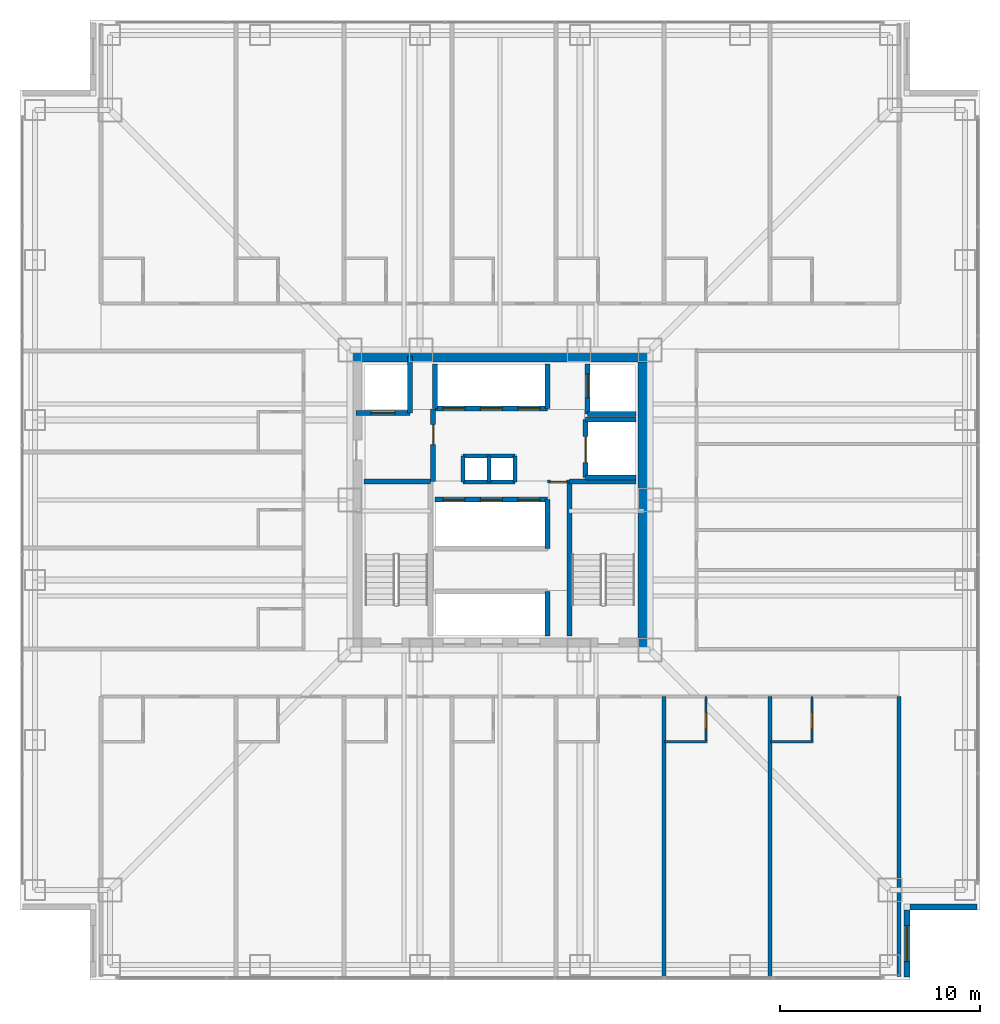
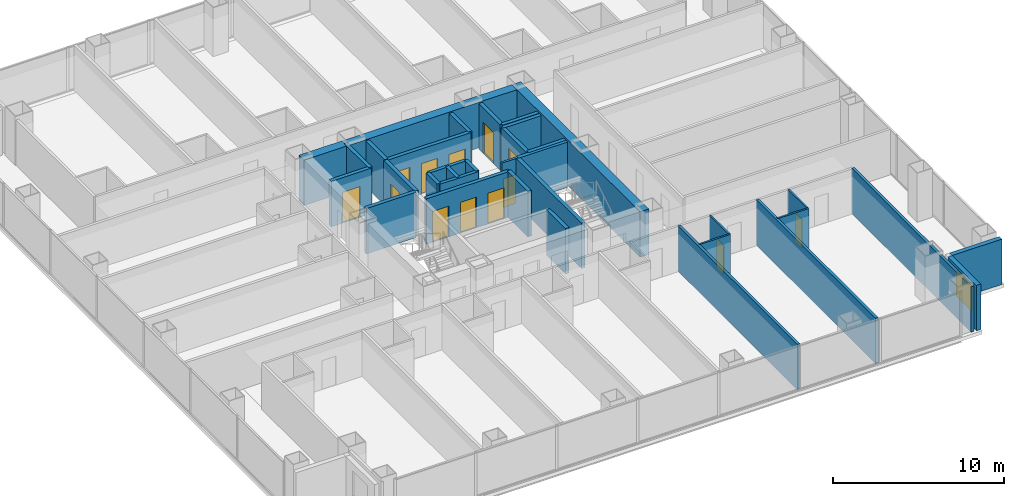
# One storey, part 12 of 17: 34 walls, 13 doors, 1 window, 14 openings.
"""IFC4 building model written with IfcOpenShell, lengths in metres."""

from ifc_helpers import new_model, si_unit, direction, frame, frame_2d, origin, place, context, subcontext, project, spatial, rectangle, extrude, material, layer, layer_set, type_object, element, fill, save


model = new_model("IFC4")

# Units and contexts
model_context = context("Model", 3, precision=1e-05, world=origin(), true_north=direction((0.0, 1.0)))
body_context = subcontext(model_context, "Body", "Model", "MODEL_VIEW")
ifc_project = project(units=[si_unit("LENGTHUNIT", "METRE"), si_unit("AREAUNIT", "SQUARE_METRE"), si_unit("VOLUMEUNIT", "CUBIC_METRE"), si_unit("PLANEANGLEUNIT", "RADIAN"), si_unit("MASSUNIT", "GRAM", prefix="KILO")], contexts=[model_context])

# Site, building, storey
site_placement = place(None, origin())
site = spatial("IfcSite", under=ifc_project, at=site_placement, CompositionType="ELEMENT")
building_placement = place(site_placement, origin())
building = spatial("IfcBuilding", under=site, at=building_placement, Name="Trevonay Congress Spire", CompositionType="ELEMENT")
storey_placement = place(building_placement, frame((0.0, 0.0, 30.5)))
storey = spatial("IfcBuildingStorey", under=building, at=storey_placement, Name="L06", CompositionType="ELEMENT", Elevation=30.5)

# Wall, opening, door
ifc_material_1 = material(Name="Concrete C40/50", Category="concrete")
ifc_layer_1 = layer(ifc_material_1, 0.1201171875, Name="Concrete C40/50")
ifc_layer_set_1 = layer_set([ifc_layer_1], Name="Concrete C40/50")
wall_type_1 = type_object("IfcWallType", Name="WAL-BATH-120", PredefinedType="PLUMBINGWALL", material=ifc_layer_set_1)
wall_1_placement = place(storey_placement, frame((10.300048828125, -12.080078125, 0.0), z_axis=(0.0, 0.0, 1.0), x_axis=(0.0, 1.0, 0.0)))
wall_1 = element("IfcWall", 1, at=wall_1_placement, inside=storey, type_object=wall_type_1, Name="L06 interior wall WH-L06S-BS6", PredefinedType="PLUMBINGWALL", context=body_context, shape_type="SweptSolid", body=[
    extrude(rectangle(XDim=2.25, YDim=0.1201171875, at=frame_2d((1.125, 0.0))), origin(), (0.0, 0.0, 1.0), 3.25),
])
opening_1_placement = place(wall_1_placement, frame((0.64990234375, 0.0, 0.0)))
opening_1 = element("IfcOpeningElement", 2, at=opening_1_placement, cuts=wall_1, Name="Opening D11", PredefinedType="OPENING", context=body_context, shape_type="SweptSolid", body=[
    extrude(rectangle(XDim=0.800048828125, YDim=2.050048828125, at=frame_2d((0.39990234375, 1.02490234375))), frame((0.0, 0.070068359375, 0.0), z_axis=(0.0, -1.0, 0.0), x_axis=(1.0, 0.0, 0.0)), (0.0, 0.0, 1.0), 0.14013671875),
])
ifc_material_2 = material(Name="Pale Anodised Aluminium EN AW-6063-T6", Category="aluminium")
door_type_1 = type_object("IfcDoorType", Name="DOR-BATH-80", OperationType="NOTDEFINED", PredefinedType="DOOR", material=ifc_material_2)
door_1_placement = place(opening_1_placement, origin())
door_1 = element("IfcDoor", 3, at=door_1_placement, inside=storey, type_object=door_type_1, Name="L06 En-suite Bathroom Door", OperationType="SINGLE_SWING_RIGHT", OverallHeight=2.050048828125, OverallWidth=0.800048828125, PredefinedType="DOOR", context=body_context, shape_type="SweptSolid", body=[
    extrude(rectangle(XDim=0.800048828125, YDim=2.050048828125, at=frame_2d((0.39990234375, 1.02490234375))), frame((0.0, 0.02490234375, 0.0), z_axis=(0.0, -1.0, 0.0), x_axis=(1.0, 0.0, 0.0)), (0.0, 0.0, 1.0), 0.050048828125),
])
fill(opening_1, door_1)

# Wall
wall_2_placement = place(storey_placement, frame((8.22998046875, -12.080078125, 0.0), z_axis=(0.0, 0.0, 1.0), x_axis=(1.0, 0.0, 0.0)))
element("IfcWall", 4, at=wall_2_placement, inside=storey, type_object=wall_type_1, Name="L06 interior wall WH-L06S-BF6", PredefinedType="PLUMBINGWALL", context=body_context, shape_type="SweptSolid", body=[
    extrude(rectangle(XDim=2.10009765625, YDim=0.1201171875, at=frame_2d((1.050048828125, 0.0))), origin(), (0.0, 0.0, 1.0), 3.25),
])

# Wall, opening, door
wall_3_placement = place(storey_placement, frame((15.60009765625, -12.080078125, 0.0), z_axis=(0.0, 0.0, 1.0), x_axis=(0.0, 1.0, 0.0)))
wall_3 = element("IfcWall", 5, at=wall_3_placement, inside=storey, type_object=wall_type_1, Name="L06 interior wall WH-L06S-BS7", PredefinedType="PLUMBINGWALL", context=body_context, shape_type="SweptSolid", body=[
    extrude(rectangle(XDim=2.25, YDim=0.1201171875, at=frame_2d((1.125, 0.0))), origin(), (0.0, 0.0, 1.0), 3.25),
])
opening_2_placement = place(wall_3_placement, frame((0.64990234375, 0.0, 0.0)))
opening_2 = element("IfcOpeningElement", 6, at=opening_2_placement, cuts=wall_3, Name="Opening D11", PredefinedType="OPENING", context=body_context, shape_type="SweptSolid", body=[
    extrude(rectangle(XDim=0.800048828125, YDim=2.050048828125, at=frame_2d((0.39990234375, 1.02490234375))), frame((0.0, 0.070068359375, 0.0), z_axis=(0.0, -1.0, 0.0), x_axis=(1.0, 0.0, 0.0)), (0.0, 0.0, 1.0), 0.14013671875),
])
door_2_placement = place(opening_2_placement, origin())
door_2 = element("IfcDoor", 7, at=door_2_placement, inside=storey, type_object=door_type_1, Name="L06 En-suite Bathroom Door", OperationType="SINGLE_SWING_LEFT", OverallHeight=2.050048828125, OverallWidth=0.800048828125, PredefinedType="DOOR", context=body_context, shape_type="SweptSolid", body=[
    extrude(rectangle(XDim=0.800048828125, YDim=2.050048828125, at=frame_2d((0.39990234375, 1.02490234375))), frame((0.0, 0.02490234375, 0.0), z_axis=(0.0, -1.0, 0.0), x_axis=(1.0, 0.0, 0.0)), (0.0, 0.0, 1.0), 0.050048828125),
])
fill(opening_2, door_2)

# Walls
wall_4_placement = place(storey_placement, frame((13.530029296875, -12.080078125, 0.0), z_axis=(0.0, 0.0, 1.0), x_axis=(1.0, 0.0, 0.0)))
element("IfcWall", 8, at=wall_4_placement, inside=storey, type_object=wall_type_1, Name="L06 interior wall WH-L06S-BF7", PredefinedType="PLUMBINGWALL", context=body_context, shape_type="SweptSolid", body=[
    extrude(rectangle(XDim=2.099853515625, YDim=0.1201171875, at=frame_2d((1.0498046875, 0.0))), origin(), (0.0, 0.0, 1.0), 3.25),
])
ifc_material_3 = material(Name="Concrete C60/75", Category="concrete")
ifc_layer_2 = layer(ifc_material_3, 0.60009765625, Name="Concrete C60/75")
ifc_layer_set_2 = layer_set([ifc_layer_2], Name="Concrete C60/75")
wall_type_2 = type_object("IfcWallType", Name="WAL-CORE-600", PredefinedType="SHEAR", material=ifc_layer_set_2)
for number, where, z_axis, x_axis, name in (
    (9, (-7.5, 7.199951171875, 0.0), (0.0, 0.0, 1.0), (1.0, 0.0, 0.0), "L06 North structural core shear wall"),
    (10, (7.199951171875, -7.5, 0.0), (0.0, 0.0, 1.0), (0.0, 1.0, 0.0), "L06 East structural core shear wall"),
):
    element("IfcWall", number, at=place(storey_placement, frame(where, z_axis=z_axis, x_axis=x_axis)), inside=storey, type_object=wall_type_2, Name=name, PredefinedType="SHEAR", context=body_context, shape_type="SweptSolid", body=[
        extrude(rectangle(XDim=15.0, YDim=0.60009765625, at=frame_2d((7.5, 0.0))), origin(), (0.0, 0.0, 1.0), 3.25),
    ])

# Wall, opening, window
ifc_material_4 = material(Name="Precast concrete C40/50", Category="concrete")
ifc_layer_3 = layer(ifc_material_4, 0.300048828125, Name="Precast concrete C40/50")
ifc_layer_set_3 = layer_set([ifc_layer_3], Name="Precast concrete C40/50")
wall_type_3 = type_object("IfcWallType", Name="WAL-EXT-PRECAST-300", PredefinedType="SOLIDWALL", material=ifc_layer_set_3)
wall_5_placement = place(storey_placement, frame((20.35009765625, -23.85009765625, 0.0), z_axis=(0.0, 0.0, 1.0), x_axis=(0.0, 1.0, 0.0)))
wall_5 = element("IfcWall", 11, at=wall_5_placement, inside=storey, type_object=wall_type_3, Name="L06 SE re-entrant notch exterior wall 1", PredefinedType="SOLIDWALL", context=body_context, shape_type="SweptSolid", body=[
    extrude(rectangle(XDim=3.35009765625, YDim=0.300048828125, at=frame_2d((1.675048828125, 0.0))), origin(), (0.0, 0.0, 1.0), 3.25),
])
opening_3_placement = place(wall_5_placement, frame((0.77490234375, 0.0, 0.89990234375)))
opening_3 = element("IfcOpeningElement", 12, at=opening_3_placement, cuts=wall_5, Name="Opening WN01", PredefinedType="OPENING", context=body_context, shape_type="SweptSolid", body=[
    extrude(rectangle(XDim=1.800048828125, YDim=1.800048828125, at=frame_2d((0.89990234375, 0.89990234375))), frame((0.0, 0.16015625, 0.0), z_axis=(0.0, -1.0, 0.0), x_axis=(1.0, 0.0, 0.0)), (0.0, 0.0, 1.0), 0.320068359375),
])
ifc_material_5 = material(Name="Insulated Low-E Vision Glass IGU", Category="glass")
window_type = type_object("IfcWindowType", Name="WIN-HOTEL-180X180", PartitioningType="SINGLE_PANEL", PredefinedType="WINDOW", material=ifc_material_5)
window_placement = place(opening_3_placement, origin())
window = element("IfcWindow", 13, at=window_placement, inside=storey, type_object=window_type, Name="L06 SE corner notch window", OverallHeight=1.800048828125, OverallWidth=1.800048828125, PartitioningType="SINGLE_PANEL", PredefinedType="WINDOW", context=body_context, shape_type="SweptSolid", body=[
    extrude(rectangle(XDim=1.800048828125, YDim=1.800048828125, at=frame_2d((0.89990234375, 0.89990234375))), frame((0.0, 0.030029296875, 0.0), z_axis=(0.0, -1.0, 0.0), x_axis=(1.0, 0.0, 0.0)), (0.0, 0.0, 1.0), 0.06005859375),
])
fill(opening_3, window)

# Walls
wall_6_placement = place(storey_placement, frame((23.85009765625, -20.35009765625, 0.0), z_axis=(0.0, 0.0, 1.0), x_axis=(-1.0, 0.0, 0.0)))
element("IfcWall", 14, at=wall_6_placement, inside=storey, type_object=wall_type_3, Name="L06 SE re-entrant notch exterior wall 2", PredefinedType="SOLIDWALL", context=body_context, shape_type="SweptSolid", body=[
    extrude(rectangle(XDim=3.35009765625, YDim=0.300048828125, at=frame_2d((1.675048828125, 0.0))), origin(), (0.0, 0.0, 1.0), 3.25),
])
ifc_layer_4 = layer(ifc_material_1, 0.179931640625, Name="Concrete C40/50")
ifc_layer_set_4 = layer_set([ifc_layer_4], Name="Concrete C40/50")
wall_type_4 = type_object("IfcWallType", Name="WAL-HOTEL-180", PredefinedType="PARTITIONING", material=ifc_layer_set_4)
for number, where, z_axis, x_axis, name in (
    (15, (8.199951171875, -23.820068359375, 0.0), (0.0, 0.0, 1.0), (0.0, 1.0, 0.0), "L06 interior wall WH-L06S-DIV6"),
    (16, (13.5, -23.820068359375, 0.0), (0.0, 0.0, 1.0), (0.0, 1.0, 0.0), "L06 interior wall WH-L06S-DIV7"),
    (17, (19.949951171875, -23.820068359375, 0.0), (0.0, 0.0, 1.0), (0.0, 1.0, 0.0), "L06 interior wall WH-L06S-DIV8"),
):
    element("IfcWall", number, at=place(storey_placement, frame(where, z_axis=z_axis, x_axis=x_axis)), inside=storey, type_object=wall_type_4, Name=name, PredefinedType="PARTITIONING", context=body_context, shape_type="SweptSolid", body=[
        extrude(rectangle(XDim=13.989990234375, YDim=0.179931640625, at=frame_2d((6.9951171875, 0.0))), origin(), (0.0, 0.0, 1.0), 3.25),
    ])

# Wall, opening, door
ifc_layer_5 = layer(ifc_material_1, 0.14990234375, Name="Concrete C40/50")
ifc_layer_set_5 = layer_set([ifc_layer_5], Name="Concrete C40/50")
wall_type_5 = type_object("IfcWallType", Name="WAL-PART-150", PredefinedType="PARTITIONING", material=ifc_layer_set_5)
wall_7_placement = place(storey_placement, frame((2.3798828125, 0.919921875, 0.0), z_axis=(0.0, 0.0, 1.0), x_axis=(1.0, 0.0, 0.0)))
wall_7 = element("IfcWall", 18, at=wall_7_placement, inside=storey, type_object=wall_type_5, Name="L06 interior wall CW-CSRV-N-L06", PredefinedType="PARTITIONING", context=body_context, shape_type="SweptSolid", body=[
    extrude(rectangle(XDim=1.090087890625, YDim=0.14990234375, at=frame_2d((0.544921875, 0.0))), origin(), (0.0, 0.0, 1.0), 3.25),
])
opening_4_placement = place(wall_7_placement, frame((0.135009765625, 0.0, 0.0)))
opening_4 = element("IfcOpeningElement", 19, at=opening_4_placement, cuts=wall_7, Name="Opening D13", PredefinedType="OPENING", context=body_context, shape_type="SweptSolid", body=[
    extrude(rectangle(XDim=0.820068359375, YDim=2.050048828125, at=frame_2d((0.41015625, 1.02490234375))), frame((0.0, 0.0849609375, 0.0), z_axis=(0.0, -1.0, 0.0), x_axis=(1.0, 0.0, 0.0)), (0.0, 0.0, 1.0), 0.169921875),
])
ifc_material_6 = material(Name="Steel ASTM A572 Grade 50", Category="steel")
door_type_2 = type_object("IfcDoorType", Name="DOR-UTIL-80", OperationType="NOTDEFINED", PredefinedType="DOOR", material=ifc_material_6)
door_3_placement = place(opening_4_placement, origin())
door_3 = element("IfcDoor", 20, at=door_3_placement, inside=storey, type_object=door_type_2, Name="L06 Core Service Pocket Door", OperationType="SINGLE_SWING_RIGHT", OverallHeight=2.050048828125, OverallWidth=0.820068359375, PredefinedType="DOOR", context=body_context, shape_type="SweptSolid", body=[
    extrude(rectangle(XDim=0.820068359375, YDim=2.050048828125, at=frame_2d((0.41015625, 1.02490234375))), frame((0.0, 0.02490234375, 0.0), z_axis=(0.0, -1.0, 0.0), x_axis=(1.0, 0.0, 0.0)), (0.0, 0.0, 1.0), 0.050048828125),
])
fill(opening_4, door_3)

# Walls
ifc_layer_6 = layer(ifc_material_1, 0.219970703125, Name="Concrete C40/50")
ifc_layer_set_6 = layer_set([ifc_layer_6], Name="Concrete C40/50")
wall_type_6 = type_object("IfcWallType", Name="WAL-SHAFT-220", PredefinedType="PARTITIONING", material=ifc_layer_set_6)
for number, where, z_axis, x_axis, name in (
    (21, (-1.85009765625, 2.199951171875, 0.0), (0.0, 0.0, 1.0), (1.0, 0.0, 0.0), "L06 interior shaft wall WSH-L06-RSR-N"),
    (22, (-1.85009765625, 0.89990234375, 0.0), (0.0, 0.0, 1.0), (1.0, 0.0, 0.0), "L06 interior shaft wall WSH-L06-RSR-S"),
):
    element("IfcWall", number, at=place(storey_placement, frame(where, z_axis=z_axis, x_axis=x_axis)), inside=storey, type_object=wall_type_6, Name=name, PredefinedType="PARTITIONING", context=body_context, shape_type="SweptSolid", body=[
        extrude(rectangle(XDim=2.60009765625, YDim=0.219970703125, at=frame_2d((1.300048828125, 0.0))), origin(), (0.0, 0.0, 1.0), 3.25),
    ])
for number, where, z_axis, x_axis, name in (
    (23, (-0.550048828125, 0.89990234375, 0.0), (0.0, 0.0, 1.0), (0.0, 1.0, 0.0), "L06 interior shaft wall WSH-L06-RSR-M"),
    (24, (0.75, 0.89990234375, 0.0), (0.0, 0.0, 1.0), (0.0, 1.0, 0.0), "L06 interior shaft wall WSH-L06-RSR-E"),
    (25, (-1.85009765625, 0.89990234375, 0.0), (0.0, 0.0, 1.0), (0.0, 1.0, 0.0), "L06 interior shaft wall WSH-L06-RSR-W"),
):
    element("IfcWall", number, at=place(storey_placement, frame(where, z_axis=z_axis, x_axis=x_axis)), inside=storey, type_object=wall_type_6, Name=name, PredefinedType="PARTITIONING", context=body_context, shape_type="SweptSolid", body=[
        extrude(rectangle(XDim=1.300048828125, YDim=0.219970703125, at=frame_2d((0.64990234375, 0.0))), origin(), (0.0, 0.0, 1.0), 3.25),
    ])
ifc_layer_7 = layer(ifc_material_1, 0.25, Name="Concrete C40/50")
ifc_layer_set_7 = layer_set([ifc_layer_7], Name="Concrete C40/50")
wall_type_7 = type_object("IfcWallType", Name="WAL-SHAFT-250", PredefinedType="SHEAR", material=ifc_layer_set_7)
wall_8_placement = place(storey_placement, frame((2.3798828125, -6.800048828125, 0.0), z_axis=(0.0, 0.0, 1.0), x_axis=(0.0, 1.0, 0.0)))
element("IfcWall", 26, at=wall_8_placement, inside=storey, type_object=wall_type_7, Name="L06 interior shaft wall WSH-L06-B1-E", PredefinedType="SHEAR", context=body_context, shape_type="SweptSolid", body=[
    extrude(rectangle(XDim=2.219970703125, YDim=0.25, at=frame_2d((1.10986328125, 0.0))), origin(), (0.0, 0.0, 1.0), 3.25),
])

# Wall, openings, doors
wall_9_placement = place(storey_placement, frame((-3.260009765625, 0.02001953125, 0.0), z_axis=(0.0, 0.0, 1.0), x_axis=(1.0, 0.0, 0.0)))
wall_9 = element("IfcWall", 27, at=wall_9_placement, inside=storey, type_object=wall_type_7, Name="L06 interior shaft wall WSH-L06-B2-N", PredefinedType="SHEAR", context=body_context, shape_type="SweptSolid", body=[
    extrude(rectangle(XDim=5.639892578125, YDim=0.25, at=frame_2d((2.81982421875, 0.0))), origin(), (0.0, 0.0, 1.0), 3.25),
])
opening_5_placement = place(wall_9_placement, frame((0.39990234375, 0.0, 0.0)))
opening_5 = element("IfcOpeningElement", 28, at=opening_5_placement, cuts=wall_9, Name="Opening LD02", PredefinedType="OPENING", context=body_context, shape_type="SweptSolid", body=[
    extrude(rectangle(XDim=1.10009765625, YDim=2.199951171875, at=frame_2d((0.550048828125, 1.10009765625))), frame((0.0, 0.135009765625, 0.0), z_axis=(0.0, -1.0, 0.0), x_axis=(1.0, 0.0, 0.0)), (0.0, 0.0, 1.0), 0.27001953125),
])
opening_6_placement = place(wall_9_placement, frame((2.280029296875, 0.0, 0.0)))
opening_6 = element("IfcOpeningElement", 29, at=opening_6_placement, cuts=wall_9, Name="Opening LD02", PredefinedType="OPENING", context=body_context, shape_type="SweptSolid", body=[
    extrude(rectangle(XDim=1.10009765625, YDim=2.199951171875, at=frame_2d((0.550048828125, 1.10009765625))), frame((0.0, 0.135009765625, 0.0), z_axis=(0.0, -1.0, 0.0), x_axis=(1.0, 0.0, 0.0)), (0.0, 0.0, 1.0), 0.27001953125),
])
opening_7_placement = place(wall_9_placement, frame((4.159912109375, 0.0, 0.0)))
opening_7 = element("IfcOpeningElement", 30, at=opening_7_placement, cuts=wall_9, Name="Opening LD02", PredefinedType="OPENING", context=body_context, shape_type="SweptSolid", body=[
    extrude(rectangle(XDim=1.10009765625, YDim=2.199951171875, at=frame_2d((0.550048828125, 1.10009765625))), frame((0.0, 0.135009765625, 0.0), z_axis=(0.0, -1.0, 0.0), x_axis=(1.0, 0.0, 0.0)), (0.0, 0.0, 1.0), 0.27001953125),
])
door_type_3 = type_object("IfcDoorType", Name="DOR-LIFT-LD02", OperationType="DOUBLE_DOOR_SLIDING", PredefinedType="DOOR", material=ifc_material_2)
door_4_placement = place(opening_5_placement, origin())
door_4 = element("IfcDoor", 31, at=door_4_placement, inside=storey, type_object=door_type_3, Name="L06 Passenger lift PL-04 landing door", OperationType="DOUBLE_DOOR_SLIDING", OverallHeight=2.199951171875, OverallWidth=1.10009765625, PredefinedType="DOOR", context=body_context, shape_type="SweptSolid", body=[
    extrude(rectangle(XDim=1.10009765625, YDim=2.199951171875, at=frame_2d((0.550048828125, 1.10009765625))), frame((0.0, 0.02490234375, 0.0), z_axis=(0.0, -1.0, 0.0), x_axis=(1.0, 0.0, 0.0)), (0.0, 0.0, 1.0), 0.050048828125),
])
fill(opening_5, door_4)
door_5_placement = place(opening_6_placement, origin())
door_5 = element("IfcDoor", 32, at=door_5_placement, inside=storey, type_object=door_type_3, Name="L06 Passenger lift PL-05 landing door", OperationType="DOUBLE_DOOR_SLIDING", OverallHeight=2.199951171875, OverallWidth=1.10009765625, PredefinedType="DOOR", context=body_context, shape_type="SweptSolid", body=[
    extrude(rectangle(XDim=1.10009765625, YDim=2.199951171875, at=frame_2d((0.550048828125, 1.10009765625))), frame((0.0, 0.02490234375, 0.0), z_axis=(0.0, -1.0, 0.0), x_axis=(1.0, 0.0, 0.0)), (0.0, 0.0, 1.0), 0.050048828125),
])
fill(opening_6, door_5)
door_6_placement = place(opening_7_placement, origin())
door_6 = element("IfcDoor", 33, at=door_6_placement, inside=storey, type_object=door_type_3, Name="L06 Passenger lift PL-06 landing door", OperationType="DOUBLE_DOOR_SLIDING", OverallHeight=2.199951171875, OverallWidth=1.10009765625, PredefinedType="DOOR", context=body_context, shape_type="SweptSolid", body=[
    extrude(rectangle(XDim=1.10009765625, YDim=2.199951171875, at=frame_2d((0.550048828125, 1.10009765625))), frame((0.0, 0.02490234375, 0.0), z_axis=(0.0, -1.0, 0.0), x_axis=(1.0, 0.0, 0.0)), (0.0, 0.0, 1.0), 0.050048828125),
])
fill(opening_7, door_6)

# Wall
wall_10_placement = place(storey_placement, frame((2.3798828125, -2.419921875, 0.0), z_axis=(0.0, 0.0, 1.0), x_axis=(0.0, 1.0, 0.0)))
element("IfcWall", 34, at=wall_10_placement, inside=storey, type_object=wall_type_7, Name="L06 interior shaft wall WSH-L06-B2-E", PredefinedType="SHEAR", context=body_context, shape_type="SweptSolid", body=[
    extrude(rectangle(XDim=2.43994140625, YDim=0.25, at=frame_2d((1.219970703125, 0.0))), origin(), (0.0, 0.0, 1.0), 3.25),
])

# Wall, openings, doors
wall_11_placement = place(storey_placement, frame((-3.260009765625, 4.580078125, 0.0), z_axis=(0.0, 0.0, 1.0), x_axis=(1.0, 0.0, 0.0)))
wall_11 = element("IfcWall", 35, at=wall_11_placement, inside=storey, type_object=wall_type_7, Name="L06 interior shaft wall WSH-L06-B3-S", PredefinedType="SHEAR", context=body_context, shape_type="SweptSolid", body=[
    extrude(rectangle(XDim=5.639892578125, YDim=0.25, at=frame_2d((2.81982421875, 0.0))), origin(), (0.0, 0.0, 1.0), 3.25),
])
opening_8_placement = place(wall_11_placement, frame((0.39990234375, 0.0, 0.0)))
opening_8 = element("IfcOpeningElement", 36, at=opening_8_placement, cuts=wall_11, Name="Opening LD03", PredefinedType="OPENING", context=body_context, shape_type="SweptSolid", body=[
    extrude(rectangle(XDim=1.10009765625, YDim=2.199951171875, at=frame_2d((0.550048828125, 1.10009765625))), frame((0.0, 0.135009765625, 0.0), z_axis=(0.0, -1.0, 0.0), x_axis=(1.0, 0.0, 0.0)), (0.0, 0.0, 1.0), 0.27001953125),
])
opening_9_placement = place(wall_11_placement, frame((2.280029296875, 0.0, 0.0)))
opening_9 = element("IfcOpeningElement", 37, at=opening_9_placement, cuts=wall_11, Name="Opening LD03", PredefinedType="OPENING", context=body_context, shape_type="SweptSolid", body=[
    extrude(rectangle(XDim=1.10009765625, YDim=2.199951171875, at=frame_2d((0.550048828125, 1.10009765625))), frame((0.0, 0.135009765625, 0.0), z_axis=(0.0, -1.0, 0.0), x_axis=(1.0, 0.0, 0.0)), (0.0, 0.0, 1.0), 0.27001953125),
])
opening_10_placement = place(wall_11_placement, frame((4.159912109375, 0.0, 0.0)))
opening_10 = element("IfcOpeningElement", 38, at=opening_10_placement, cuts=wall_11, Name="Opening LD03", PredefinedType="OPENING", context=body_context, shape_type="SweptSolid", body=[
    extrude(rectangle(XDim=1.10009765625, YDim=2.199951171875, at=frame_2d((0.550048828125, 1.10009765625))), frame((0.0, 0.135009765625, 0.0), z_axis=(0.0, -1.0, 0.0), x_axis=(1.0, 0.0, 0.0)), (0.0, 0.0, 1.0), 0.27001953125),
])
door_type_4 = type_object("IfcDoorType", Name="DOR-LIFT-LD03", OperationType="DOUBLE_DOOR_SLIDING", PredefinedType="DOOR", material=ifc_material_2)
door_7_placement = place(opening_8_placement, origin())
door_7 = element("IfcDoor", 39, at=door_7_placement, inside=storey, type_object=door_type_4, Name="L06 Passenger lift PL-07 landing door", OperationType="DOUBLE_DOOR_SLIDING", OverallHeight=2.199951171875, OverallWidth=1.10009765625, PredefinedType="DOOR", context=body_context, shape_type="SweptSolid", body=[
    extrude(rectangle(XDim=1.10009765625, YDim=2.199951171875, at=frame_2d((0.550048828125, 1.10009765625))), frame((0.0, 0.02490234375, 0.0), z_axis=(0.0, -1.0, 0.0), x_axis=(1.0, 0.0, 0.0)), (0.0, 0.0, 1.0), 0.050048828125),
])
fill(opening_8, door_7)
door_8_placement = place(opening_9_placement, origin())
door_8 = element("IfcDoor", 40, at=door_8_placement, inside=storey, type_object=door_type_4, Name="L06 Passenger lift PL-08 landing door", OperationType="DOUBLE_DOOR_SLIDING", OverallHeight=2.199951171875, OverallWidth=1.10009765625, PredefinedType="DOOR", context=body_context, shape_type="SweptSolid", body=[
    extrude(rectangle(XDim=1.10009765625, YDim=2.199951171875, at=frame_2d((0.550048828125, 1.10009765625))), frame((0.0, 0.02490234375, 0.0), z_axis=(0.0, -1.0, 0.0), x_axis=(1.0, 0.0, 0.0)), (0.0, 0.0, 1.0), 0.050048828125),
])
fill(opening_9, door_8)
door_9_placement = place(opening_10_placement, origin())
door_9 = element("IfcDoor", 41, at=door_9_placement, inside=storey, type_object=door_type_4, Name="L06 Passenger lift PL-09 landing door", OperationType="DOUBLE_DOOR_SLIDING", OverallHeight=2.199951171875, OverallWidth=1.10009765625, PredefinedType="DOOR", context=body_context, shape_type="SweptSolid", body=[
    extrude(rectangle(XDim=1.10009765625, YDim=2.199951171875, at=frame_2d((0.550048828125, 1.10009765625))), frame((0.0, 0.02490234375, 0.0), z_axis=(0.0, -1.0, 0.0), x_axis=(1.0, 0.0, 0.0)), (0.0, 0.0, 1.0), 0.050048828125),
])
fill(opening_10, door_9)

# Walls
for number, where, z_axis, x_axis, name in (
    (42, (-3.260009765625, 4.580078125, 0.0), (0.0, 0.0, 1.0), (0.0, 1.0, 0.0), "L06 interior shaft wall WSH-L06-B3-W"),
    (43, (2.3798828125, 4.580078125, 0.0), (0.0, 0.0, 1.0), (0.0, 1.0, 0.0), "L06 interior shaft wall WSH-L06-B3-E"),
):
    element("IfcWall", number, at=place(storey_placement, frame(where, z_axis=z_axis, x_axis=x_axis)), inside=storey, type_object=wall_type_7, Name=name, PredefinedType="SHEAR", context=body_context, shape_type="SweptSolid", body=[
        extrude(rectangle(XDim=2.219970703125, YDim=0.25, at=frame_2d((1.10986328125, 0.0))), origin(), (0.0, 0.0, 1.0), 3.25),
    ])

# Wall, opening, door
wall_12_placement = place(storey_placement, frame((-7.199951171875, 4.35009765625, 0.0), z_axis=(0.0, 0.0, 1.0), x_axis=(1.0, 0.0, 0.0)))
wall_12 = element("IfcWall", 44, at=wall_12_placement, inside=storey, type_object=wall_type_7, Name="L06 interior shaft wall WSH-L06-FF1-S", PredefinedType="SHEAR", context=body_context, shape_type="SweptSolid", body=[
    extrude(rectangle(XDim=2.699951171875, YDim=0.25, at=frame_2d((1.35009765625, 0.0))), origin(), (0.0, 0.0, 1.0), 3.25),
])
opening_11_placement = place(wall_12_placement, frame((0.75, 0.0, 0.0)))
opening_11 = element("IfcOpeningElement", 45, at=opening_11_placement, cuts=wall_12, Name="Opening LD04", PredefinedType="OPENING", context=body_context, shape_type="SweptSolid", body=[
    extrude(rectangle(XDim=1.199951171875, YDim=2.199951171875, at=frame_2d((0.60009765625, 1.10009765625))), frame((0.0, 0.135009765625, 0.0), z_axis=(0.0, -1.0, 0.0), x_axis=(1.0, 0.0, 0.0)), (0.0, 0.0, 1.0), 0.27001953125),
])
door_type_5 = type_object("IfcDoorType", Name="DOR-LIFT-LD04", OperationType="DOUBLE_DOOR_SLIDING", PredefinedType="DOOR", material=ifc_material_6)
door_10_placement = place(opening_11_placement, origin())
door_10 = element("IfcDoor", 46, at=door_10_placement, inside=storey, type_object=door_type_5, Name="L06 Firefighting lift FFL-01 landing door", OperationType="DOUBLE_DOOR_SLIDING", OverallHeight=2.199951171875, OverallWidth=1.199951171875, PredefinedType="DOOR", context=body_context, shape_type="SweptSolid", body=[
    extrude(rectangle(XDim=1.199951171875, YDim=2.199951171875, at=frame_2d((0.60009765625, 1.10009765625))), frame((0.0, 0.02490234375, 0.0), z_axis=(0.0, -1.0, 0.0), x_axis=(1.0, 0.0, 0.0)), (0.0, 0.0, 1.0), 0.050048828125),
])
fill(opening_11, door_10)

# Walls
wall_13_placement = place(storey_placement, frame((-4.5, 4.35009765625, 0.0), z_axis=(0.0, 0.0, 1.0), x_axis=(0.0, 1.0, 0.0)))
element("IfcWall", 47, at=wall_13_placement, inside=storey, type_object=wall_type_7, Name="L06 interior shaft wall WSH-L06-FF1-E", PredefinedType="SHEAR", context=body_context, shape_type="SweptSolid", body=[
    extrude(rectangle(XDim=2.849853515625, YDim=0.25, at=frame_2d((1.4248046875, 0.0))), origin(), (0.0, 0.0, 1.0), 3.25),
])
wall_14_placement = place(storey_placement, frame((4.3798828125, 4.300048828125, 0.0), z_axis=(0.0, 0.0, 1.0), x_axis=(1.0, 0.0, 0.0)))
element("IfcWall", 48, at=wall_14_placement, inside=storey, type_object=wall_type_7, Name="L06 interior shaft wall WSH-L06-FF2-S", PredefinedType="SHEAR", context=body_context, shape_type="SweptSolid", body=[
    extrude(rectangle(XDim=2.420166015625, YDim=0.25, at=frame_2d((1.2099609375, 0.0))), origin(), (0.0, 0.0, 1.0), 3.25),
])

# Wall, opening, door
wall_15_placement = place(storey_placement, frame((4.3798828125, 4.300048828125, 0.0), z_axis=(0.0, 0.0, 1.0), x_axis=(0.0, 1.0, 0.0)))
wall_15 = element("IfcWall", 49, at=wall_15_placement, inside=storey, type_object=wall_type_7, Name="L06 interior shaft wall WSH-L06-FF2-W", PredefinedType="SHEAR", context=body_context, shape_type="SweptSolid", body=[
    extrude(rectangle(XDim=2.5, YDim=0.25, at=frame_2d((1.25, 0.0))), origin(), (0.0, 0.0, 1.0), 3.25),
])
opening_12_placement = place(wall_15_placement, frame((0.800048828125, 0.0, 0.0)))
opening_12 = element("IfcOpeningElement", 50, at=opening_12_placement, cuts=wall_15, Name="Opening LD04", PredefinedType="OPENING", context=body_context, shape_type="SweptSolid", body=[
    extrude(rectangle(XDim=1.199951171875, YDim=2.199951171875, at=frame_2d((0.60009765625, 1.10009765625))), frame((0.0, 0.135009765625, 0.0), z_axis=(0.0, -1.0, 0.0), x_axis=(1.0, 0.0, 0.0)), (0.0, 0.0, 1.0), 0.27001953125),
])
door_11_placement = place(opening_12_placement, origin())
door_11 = element("IfcDoor", 51, at=door_11_placement, inside=storey, type_object=door_type_5, Name="L06 Firefighting lift FFL-02 landing door", OperationType="DOUBLE_DOOR_SLIDING", OverallHeight=2.199951171875, OverallWidth=1.199951171875, PredefinedType="DOOR", context=body_context, shape_type="SweptSolid", body=[
    extrude(rectangle(XDim=1.199951171875, YDim=2.199951171875, at=frame_2d((0.60009765625, 1.10009765625))), frame((0.0, 0.02490234375, 0.0), z_axis=(0.0, -1.0, 0.0), x_axis=(1.0, 0.0, 0.0)), (0.0, 0.0, 1.0), 0.050048828125),
])
fill(opening_12, door_11)

wall_16_placement = place(storey_placement, frame((4.280029296875, 1.1201171875, 0.0), z_axis=(0.0, 0.0, 1.0), x_axis=(0.0, 1.0, 0.0)))
wall_16 = element("IfcWall", 52, at=wall_16_placement, inside=storey, type_object=wall_type_7, Name="L06 interior shaft wall WSH-L06-SV-W", PredefinedType="SHEAR", context=body_context, shape_type="SweptSolid", body=[
    extrude(rectangle(XDim=2.89990234375, YDim=0.25, at=frame_2d((1.449951171875, 0.0))), origin(), (0.0, 0.0, 1.0), 3.25),
])
opening_13_placement = place(wall_16_placement, frame((0.75, 0.0, 0.0)))
opening_13 = element("IfcOpeningElement", 53, at=opening_13_placement, cuts=wall_16, Name="Opening LD05", PredefinedType="OPENING", context=body_context, shape_type="SweptSolid", body=[
    extrude(rectangle(XDim=1.300048828125, YDim=2.300048828125, at=frame_2d((0.64990234375, 1.14990234375))), frame((0.0, 0.135009765625, 0.0), z_axis=(0.0, -1.0, 0.0), x_axis=(1.0, 0.0, 0.0)), (0.0, 0.0, 1.0), 0.27001953125),
])
door_type_6 = type_object("IfcDoorType", Name="DOR-LIFT-LD05", OperationType="DOUBLE_DOOR_SLIDING", PredefinedType="DOOR", material=ifc_material_6)
door_12_placement = place(opening_13_placement, origin())
door_12 = element("IfcDoor", 54, at=door_12_placement, inside=storey, type_object=door_type_6, Name="L06 Goods lift SVL-01 landing door", OperationType="DOUBLE_DOOR_SLIDING", OverallHeight=2.300048828125, OverallWidth=1.300048828125, PredefinedType="DOOR", context=body_context, shape_type="SweptSolid", body=[
    extrude(rectangle(XDim=1.300048828125, YDim=2.300048828125, at=frame_2d((0.64990234375, 1.14990234375))), frame((0.0, 0.02490234375, 0.0), z_axis=(0.0, -1.0, 0.0), x_axis=(1.0, 0.0, 0.0)), (0.0, 0.0, 1.0), 0.050048828125),
])
fill(opening_13, door_12)

# Walls
for number, where, z_axis, x_axis, name in (
    (55, (4.280029296875, 1.1201171875, 0.0), (0.0, 0.0, 1.0), (1.0, 0.0, 0.0), "L06 interior shaft wall WSH-L06-SV-S"),
    (56, (4.280029296875, 4.02001953125, 0.0), (0.0, 0.0, 1.0), (1.0, 0.0, 0.0), "L06 interior shaft wall WSH-L06-SV-N"),
):
    element("IfcWall", number, at=place(storey_placement, frame(where, z_axis=z_axis, x_axis=x_axis)), inside=storey, type_object=wall_type_7, Name=name, PredefinedType="SHEAR", context=body_context, shape_type="SweptSolid", body=[
        extrude(rectangle(XDim=2.52001953125, YDim=0.25, at=frame_2d((1.260009765625, 0.0))), origin(), (0.0, 0.0, 1.0), 3.25),
    ])

# Wall, opening, door
wall_17_placement = place(storey_placement, frame((-3.35009765625, 0.919921875, 0.0), z_axis=(0.0, 0.0, 1.0), x_axis=(0.0, 1.0, 0.0)))
wall_17 = element("IfcWall", 57, at=wall_17_placement, inside=storey, type_object=wall_type_7, Name="L06 interior wall CW-FFLW-E-L06", PredefinedType="SHEAR", context=body_context, shape_type="SweptSolid", body=[
    extrude(rectangle(XDim=3.6201171875, YDim=0.25, at=frame_2d((1.81005859375, 0.0))), origin(), (0.0, 0.0, 1.0), 3.25),
])
opening_14_placement = place(wall_17_placement, frame((1.85009765625, 0.0, 0.0)))
opening_14 = element("IfcOpeningElement", 58, at=opening_14_placement, cuts=wall_17, Name="Opening D06", PredefinedType="OPENING", context=body_context, shape_type="SweptSolid", body=[
    extrude(rectangle(XDim=1.0, YDim=2.080078125, at=frame_2d((0.5, 1.0400390625))), frame((0.0, 0.135009765625, 0.0), z_axis=(0.0, -1.0, 0.0), x_axis=(1.0, 0.0, 0.0)), (0.0, 0.0, 1.0), 0.27001953125),
])
door_type_7 = type_object("IfcDoorType", Name="DOR-FIRE-100", OperationType="NOTDEFINED", PredefinedType="DOOR", material=ifc_material_6)
door_13_placement = place(opening_14_placement, origin())
door_13 = element("IfcDoor", 59, at=door_13_placement, inside=storey, type_object=door_type_7, Name="L06 Firefighting Core Lobby Transfer Door", OperationType="SINGLE_SWING_LEFT", OverallHeight=2.080078125, OverallWidth=1.0, PredefinedType="DOOR", context=body_context, shape_type="SweptSolid", body=[
    extrude(rectangle(XDim=1.0, YDim=2.080078125, at=frame_2d((0.5, 1.0400390625))), frame((0.0, 0.02490234375, 0.0), z_axis=(0.0, -1.0, 0.0), x_axis=(1.0, 0.0, 0.0)), (0.0, 0.0, 1.0), 0.050048828125),
])
fill(opening_14, door_13)

# Walls
ifc_layer_8 = layer(ifc_material_1, 0.25, Name="Concrete C40/50")
ifc_layer_set_8 = layer_set([ifc_layer_8], Name="Concrete C40/50")
wall_type_8 = type_object("IfcWallType", Name="WAL-SHAFT-LB-250", PredefinedType="SHEAR", material=ifc_layer_set_8)
wall_18_placement = place(storey_placement, frame((-6.800048828125, 0.919921875, 0.0), z_axis=(0.0, 0.0, 1.0), x_axis=(1.0, 0.0, 0.0)))
element("IfcWall", 60, at=wall_18_placement, inside=storey, type_object=wall_type_8, Name="L06 interior shaft wall WSH-L06-ST1-N", PredefinedType="SHEAR", context=body_context, shape_type="SweptSolid", body=[
    extrude(rectangle(XDim=3.330078125, YDim=0.25, at=frame_2d((1.6650390625, 0.0))), origin(), (0.0, 0.0, 1.0), 3.25),
])
wall_19_placement = place(storey_placement, frame((3.469970703125, -6.800048828125, 0.0), z_axis=(0.0, 0.0, 1.0), x_axis=(0.0, 1.0, 0.0)))
element("IfcWall", 61, at=wall_19_placement, inside=storey, type_object=wall_type_8, Name="L06 interior shaft wall WSH-L06-ST2-W", PredefinedType="SHEAR", context=body_context, shape_type="SweptSolid", body=[
    extrude(rectangle(XDim=7.719970703125, YDim=0.25, at=frame_2d((3.85986328125, 0.0))), origin(), (0.0, 0.0, 1.0), 3.25),
])
wall_20_placement = place(storey_placement, frame((3.469970703125, 0.919921875, 0.0), z_axis=(0.0, 0.0, 1.0), x_axis=(1.0, 0.0, 0.0)))
element("IfcWall", 62, at=wall_20_placement, inside=storey, type_object=wall_type_8, Name="L06 interior shaft wall WSH-L06-ST2-N", PredefinedType="SHEAR", context=body_context, shape_type="SweptSolid", body=[
    extrude(rectangle(XDim=3.330078125, YDim=0.25, at=frame_2d((1.6650390625, 0.0))), origin(), (0.0, 0.0, 1.0), 3.25),
])

save(model, "model.ifc")
